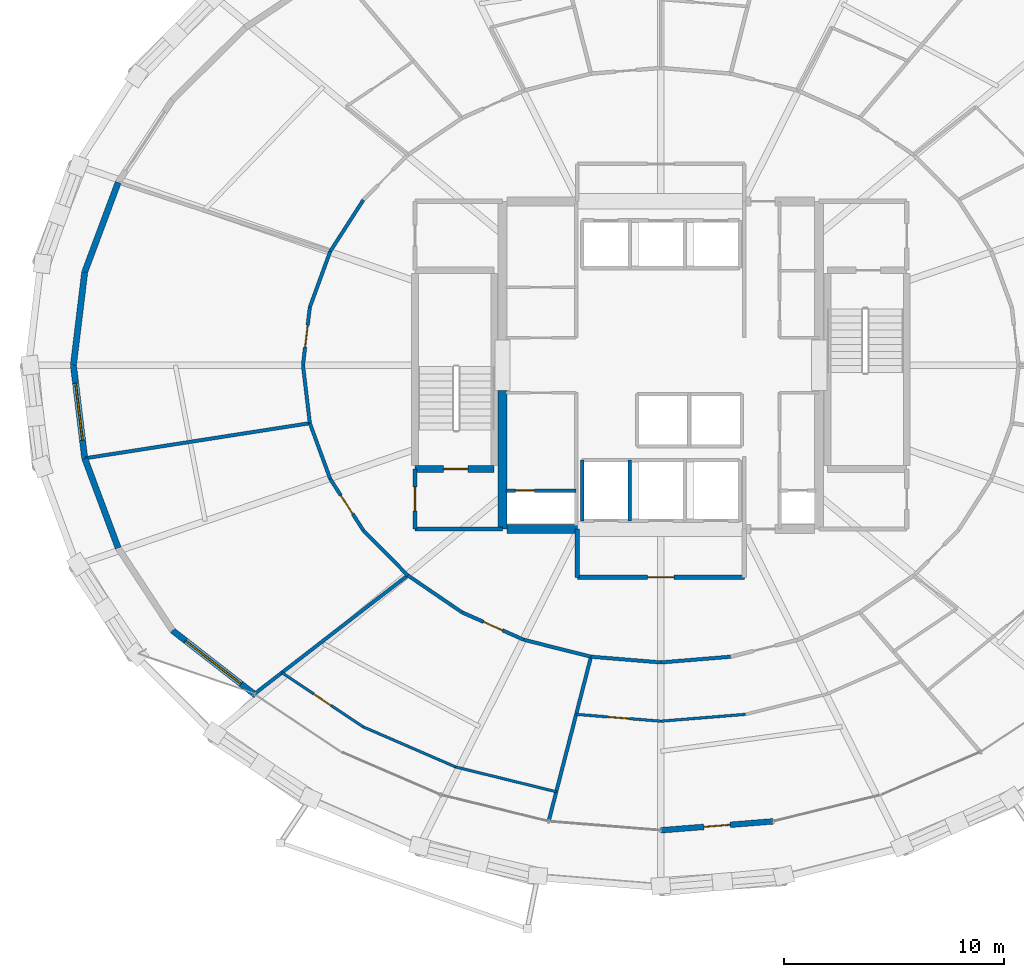
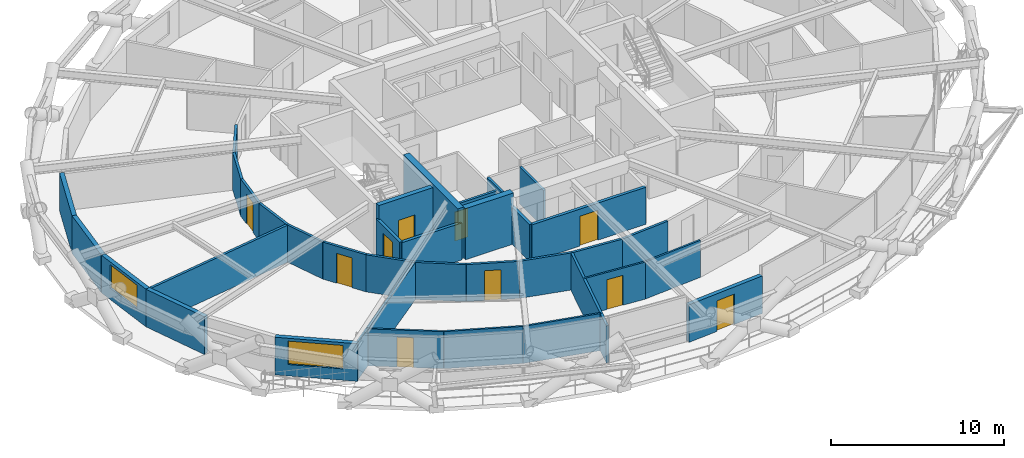
# One storey, part 15 of 21: 36 walls, 10 doors, 2 windows, 12 openings.
"""IFC4 building model written with IfcOpenShell, lengths in metres."""

from ifc_helpers import new_model, si_unit, direction, frame, frame_2d, origin, place, context, subcontext, project, spatial, rectangle, extrude, material, layer, layer_set, type_object, element, fill, save


model = new_model("IFC4")

# Units and contexts
model_context = context("Model", 3, precision=1e-05, world=origin(), true_north=direction((0.0, 1.0)))
body_context = subcontext(model_context, "Body", "Model", "MODEL_VIEW")
ifc_project = project(units=[si_unit("LENGTHUNIT", "METRE"), si_unit("AREAUNIT", "SQUARE_METRE"), si_unit("VOLUMEUNIT", "CUBIC_METRE"), si_unit("PLANEANGLEUNIT", "RADIAN"), si_unit("MASSUNIT", "GRAM", prefix="KILO")], contexts=[model_context])

# Site, building, storey
site_placement = place(None, origin())
site = spatial("IfcSite", under=ifc_project, at=site_placement, CompositionType="ELEMENT")
building_placement = place(site_placement, origin())
building = spatial("IfcBuilding", under=site, at=building_placement, Name="Veldorina Hangang Commons", CompositionType="ELEMENT")
storey_placement = place(building_placement, frame((0.0, 0.0, 59.199951171875)))
storey = spatial("IfcBuildingStorey", under=building, at=storey_placement, Name="L14", CompositionType="ELEMENT", Elevation=59.199951171875)

# Walls
ifc_material_1 = material(Name="Concrete C70/85", Category="concrete")
ifc_layer_1 = layer(ifc_material_1, 0.39990234375)
ifc_layer_set_1 = layer_set([ifc_layer_1], Name="Concrete C70/85")
wall_type_1 = type_object("IfcWallType", Name="CW-RC400-C70", PredefinedType="SHEAR", material=ifc_layer_set_1)
wall_1_placement = place(storey_placement, frame((24.800048828125, 16.550048828125, 0.0), z_axis=(0.0, 0.0, 1.0), x_axis=(0.0, 1.0, 0.0)))
element("IfcWall", 1, at=wall_1_placement, inside=storey, type_object=wall_type_1, Name="L14 W south core shear wall", PredefinedType="SHEAR", context=body_context, shape_type="SweptSolid", body=[
    extrude(rectangle(XDim=6.300048828125, YDim=0.39990234375, at=frame_2d((3.14990234375, 0.0))), origin(), (0.0, 0.0, 1.0), 3.60009765625),
])
wall_2_placement = place(storey_placement, frame((25.0, 16.550048828125, 0.0), z_axis=(0.0, 0.0, 1.0), x_axis=(1.0, 0.0, 0.0)))
element("IfcWall", 2, at=wall_2_placement, inside=storey, type_object=wall_type_1, Name="L14 south-west core shear wall", PredefinedType="SHEAR", context=body_context, shape_type="SweptSolid", body=[
    extrude(rectangle(XDim=3.199951171875, YDim=0.39990234375, at=frame_2d((1.60009765625, 0.0))), origin(), (0.0, 0.0, 1.0), 3.60009765625),
])

# Wall, opening, door
ifc_material_2 = material(Name="Stone Roman Travertine", Category="masonry")
ifc_layer_2 = layer(ifc_material_2, 0.260009765625)
ifc_layer_set_2 = layer_set([ifc_layer_2], Name="Stone Roman Travertine")
wall_type_2 = type_object("IfcWallType", Name="EW-LOGGIA-260", PredefinedType="STANDARD", material=ifc_layer_set_2)
wall_3_placement = place(storey_placement, frame((32.0, 2.847412109375, 0.0), z_axis=(0.0, 0.0, 1.0), x_axis=(0.996844936769, 0.079373623064, 0.0)))
wall_3 = element("IfcWall", 3, at=wall_3_placement, inside=storey, type_object=wall_type_2, Name="L14 sky-garden loggia portal wall 24", PredefinedType="STANDARD", context=body_context, shape_type="SweptSolid", body=[
    extrude(rectangle(XDim=5.1181640625, YDim=0.260009765625, at=frame_2d((2.55908203125, 0.0))), origin(), (0.0, 0.0, 1.0), 2.650146484375),
])
opening_1_placement = place(wall_3_placement, frame((1.958984375, 0.0, 0.0)))
opening_1 = element("IfcOpeningElement", 4, at=opening_1_placement, cuts=wall_3, Name="Opening BD-1200", PredefinedType="OPENING", context=body_context, shape_type="SweptSolid", body=[
    extrude(rectangle(XDim=1.199951171875, YDim=2.14990234375, at=frame_2d((0.60009765625, 1.074951171875))), frame((0.0, 0.14013671875, 0.0), z_axis=(0.0, -1.0, 0.0), x_axis=(1.0, 0.0, 0.0)), (0.0, 0.0, 1.0), 0.280029296875),
])
ifc_material_3 = material(Name="Glass Thermal Aluminium Frame", Category="aluminium")
door_type_1 = type_object("IfcDoorType", Name="DR-EXT-LOG1200", OperationType="SINGLE_SWING_LEFT", PredefinedType="DOOR", material=ifc_material_3)
door_1_placement = place(opening_1_placement, origin())
door_1 = element("IfcDoor", 5, at=door_1_placement, inside=storey, type_object=door_type_1, Name="L14 loggia glazed exterior door 24", OperationType="SINGLE_SWING_LEFT", OverallHeight=2.14990234375, OverallWidth=1.199951171875, PredefinedType="DOOR", context=body_context, shape_type="SweptSolid", body=[
    extrude(rectangle(XDim=1.199951171875, YDim=2.14990234375, at=frame_2d((0.60009765625, 1.074951171875))), frame((0.0, 0.02490234375, 0.0), z_axis=(0.0, -1.0, 0.0), x_axis=(1.0, 0.0, 0.0)), (0.0, 0.0, 1.0), 0.050048828125),
])
fill(opening_1, door_1)

# Walls
ifc_layer_3 = layer(ifc_material_2, 0.280029296875)
ifc_layer_set_3 = layer_set([ifc_layer_3], Name="Stone Roman Travertine")
wall_type_3 = type_object("IfcWallType", Name="EW-TRAV-280", PredefinedType="STANDARD", material=ifc_layer_set_3)
wall_4_placement = place(storey_placement, frame((7.32080078125, 32.30908203125, 0.0), z_axis=(0.0, 0.0, 1.0), x_axis=(-0.349670708584, -0.93687266774, 0.0)))
element("IfcWall", 6, at=wall_4_placement, inside=storey, type_object=wall_type_3, Name="L14 travertine facade wall 14", PredefinedType="STANDARD", context=body_context, shape_type="SweptSolid", body=[
    extrude(rectangle(XDim=4.34765625, YDim=0.280029296875, at=frame_2d((2.173828125, 0.0))), origin(), (0.0, 0.0, 1.0), 2.650146484375),
])
wall_5_placement = place(storey_placement, frame((5.800537109375, 28.23583984375, 0.0), z_axis=(0.0, 0.0, 1.0), x_axis=(-0.120273268537, -0.992740822609, 0.0)))
element("IfcWall", 7, at=wall_5_placement, inside=storey, type_object=wall_type_3, Name="L14 travertine facade wall 15", PredefinedType="STANDARD", context=body_context, shape_type="SweptSolid", body=[
    extrude(rectangle(XDim=4.266845703125, YDim=0.280029296875, at=frame_2d((2.13330078125, 0.0))), origin(), (0.0, 0.0, 1.0), 2.650146484375),
])

# Wall, opening, window
wall_6_placement = place(storey_placement, frame((5.287353515625, 24.0, 0.0), z_axis=(0.0, 0.0, 1.0), x_axis=(0.120273268537, -0.992740822609, 0.0)))
wall_6 = element("IfcWall", 8, at=wall_6_placement, inside=storey, type_object=wall_type_3, Name="L14 travertine facade wall 16", PredefinedType="STANDARD", context=body_context, shape_type="SweptSolid", body=[
    extrude(rectangle(XDim=4.266845703125, YDim=0.280029296875, at=frame_2d((2.13330078125, 0.0))), origin(), (0.0, 0.0, 1.0), 2.650146484375),
])
opening_2_placement = place(wall_6_placement, frame((0.83349609375, 0.0, 0.800048828125)))
opening_2 = element("IfcOpeningElement", 9, at=opening_2_placement, cuts=wall_6, Name="Opening W-02", PredefinedType="OPENING", context=body_context, shape_type="SweptSolid", body=[
    extrude(rectangle(XDim=2.60009765625, YDim=1.64990234375, at=frame_2d((1.300048828125, 0.824951171875))), frame((0.0, 0.14990234375, 0.0), z_axis=(0.0, -1.0, 0.0), x_axis=(1.0, 0.0, 0.0)), (0.0, 0.0, 1.0), 0.300048828125),
])
ifc_material_4 = material(Name="Glass Low-E Triple IGU", Category="glass")
window_type_1 = type_object("IfcWindowType", Name="WIN-TWR-2600", PartitioningType="SINGLE_PANEL", PredefinedType="WINDOW", material=ifc_material_4)
window_1_placement = place(opening_2_placement, origin())
window_1 = element("IfcWindow", 10, at=window_1_placement, inside=storey, type_object=window_type_1, Name="L14 facade window 16", OverallHeight=1.64990234375, OverallWidth=2.60009765625, PartitioningType="SINGLE_PANEL", PredefinedType="WINDOW", context=body_context, shape_type="SweptSolid", body=[
    extrude(rectangle(XDim=2.60009765625, YDim=1.64990234375, at=frame_2d((1.300048828125, 0.824951171875))), frame((0.0, 0.030029296875, 0.0), z_axis=(0.0, -1.0, 0.0), x_axis=(1.0, 0.0, 0.0)), (0.0, 0.0, 1.0), 0.06005859375),
])
fill(opening_2, window_1)

# Wall
wall_7_placement = place(storey_placement, frame((5.800537109375, 19.76416015625, 0.0), z_axis=(0.0, 0.0, 1.0), x_axis=(0.349670708584, -0.93687266774, 0.0)))
element("IfcWall", 11, at=wall_7_placement, inside=storey, type_object=wall_type_3, Name="L14 travertine facade wall 17", PredefinedType="STANDARD", context=body_context, shape_type="SweptSolid", body=[
    extrude(rectangle(XDim=4.34765625, YDim=0.280029296875, at=frame_2d((2.173828125, 0.0))), origin(), (0.0, 0.0, 1.0), 2.650146484375),
])

# Wall, opening, window
wall_8_placement = place(storey_placement, frame((9.789306640625, 11.93701171875, 0.0), z_axis=(0.0, 0.0, 1.0), x_axis=(0.789100374505, -0.614264274524, 0.0)))
wall_8 = element("IfcWall", 12, at=wall_8_placement, inside=storey, type_object=wall_type_3, Name="L14 travertine facade wall 19", PredefinedType="STANDARD", context=body_context, shape_type="SweptSolid", body=[
    extrude(rectangle(XDim=4.8037109375, YDim=0.280029296875, at=frame_2d((2.40185546875, 0.0))), origin(), (0.0, 0.0, 1.0), 2.650146484375),
])
opening_3_placement = place(wall_8_placement, frame((0.755859375, 0.0, 0.800048828125)))
opening_3 = element("IfcOpeningElement", 13, at=opening_3_placement, cuts=wall_8, Name="Opening W-01", PredefinedType="OPENING", context=body_context, shape_type="SweptSolid", body=[
    extrude(rectangle(XDim=3.199951171875, YDim=1.64990234375, at=frame_2d((1.60009765625, 0.824951171875))), frame((0.0, 0.14990234375, 0.0), z_axis=(0.0, -1.0, 0.0), x_axis=(1.0, 0.0, 0.0)), (0.0, 0.0, 1.0), 0.300048828125),
])
window_type_2 = type_object("IfcWindowType", Name="WIN-TWR-3200", PartitioningType="SINGLE_PANEL", PredefinedType="WINDOW", material=ifc_material_4)
window_2_placement = place(opening_3_placement, origin())
window_2 = element("IfcWindow", 14, at=window_2_placement, inside=storey, type_object=window_type_2, Name="L14 facade window 19", OverallHeight=1.64990234375, OverallWidth=3.199951171875, PartitioningType="SINGLE_PANEL", PredefinedType="WINDOW", context=body_context, shape_type="SweptSolid", body=[
    extrude(rectangle(XDim=3.199951171875, YDim=1.64990234375, at=frame_2d((1.60009765625, 0.824951171875))), frame((0.0, 0.030029296875, 0.0), z_axis=(0.0, -1.0, 0.0), x_axis=(1.0, 0.0, 0.0)), (0.0, 0.0, 1.0), 0.06005859375),
])
fill(opening_3, window_2)

# Wall, opening, door
ifc_material_5 = material(Name="Concrete C50/60", Category="concrete")
ifc_layer_4 = layer(ifc_material_5, 0.300048828125)
ifc_layer_set_4 = layer_set([ifc_layer_4], Name="Concrete C50/60")
wall_type_4 = type_object("IfcWallType", Name="SW-STAIR-300", PredefinedType="SHEAR", material=ifc_layer_set_4)
wall_9_placement = place(storey_placement, frame((20.820068359375, 19.280029296875, 0.0), z_axis=(0.0, 0.0, 1.0), x_axis=(1.0, 0.0, 0.0)))
wall_9 = element("IfcWall", 15, at=wall_9_placement, inside=storey, type_object=wall_type_4, Name="L14 ST1 south stair shear wall", PredefinedType="SHEAR", context=body_context, shape_type="SweptSolid", body=[
    extrude(rectangle(XDim=3.599853515625, YDim=0.300048828125, at=frame_2d((1.7998046875, 0.0))), origin(), (0.0, 0.0, 1.0), 3.60009765625),
])
opening_4_placement = place(wall_9_placement, frame((1.300048828125, 0.0, 0.0)))
opening_4 = element("IfcOpeningElement", 16, at=opening_4_placement, cuts=wall_9, Name="Opening D-08", PredefinedType="OPENING", context=body_context, shape_type="SweptSolid", body=[
    extrude(rectangle(XDim=1.10009765625, YDim=2.10009765625, at=frame_2d((0.550048828125, 1.050048828125))), frame((0.0, 0.16015625, 0.0), z_axis=(0.0, -1.0, 0.0), x_axis=(1.0, 0.0, 0.0)), (0.0, 0.0, 1.0), 0.320068359375),
])
ifc_material_6 = material(Name="Steel Fire-Rated Smoke Seal", Category="steel")
door_type_2 = type_object("IfcDoorType", Name="DR-FIRE-1100", OperationType="SINGLE_SWING_RIGHT", PredefinedType="DOOR", material=ifc_material_6)
door_2_placement = place(opening_4_placement, origin())
door_2 = element("IfcDoor", 17, at=door_2_placement, inside=storey, type_object=door_type_2, Name="L14 Special Escape Stair ST-1 door", OperationType="SINGLE_SWING_LEFT", OverallHeight=2.10009765625, OverallWidth=1.10009765625, PredefinedType="DOOR", context=body_context, shape_type="SweptSolid", body=[
    extrude(rectangle(XDim=1.10009765625, YDim=2.10009765625, at=frame_2d((0.550048828125, 1.050048828125))), frame((0.0, 0.02490234375, 0.0), z_axis=(0.0, -1.0, 0.0), x_axis=(1.0, 0.0, 0.0)), (0.0, 0.0, 1.0), 0.050048828125),
])
fill(opening_4, door_2)

# Walls
ifc_material_7 = material(Name="Gypsum Fire-Rated Twin Stud Wall", Category="gypsum")
ifc_layer_5 = layer(ifc_material_7, 0.159912109375)
ifc_layer_set_5 = layer_set([ifc_layer_5], Name="Gypsum Fire-Rated Twin Stud Wall")
wall_type_5 = type_object("IfcWallType", Name="WL-FIRE-160", PredefinedType="SOLIDWALL", material=ifc_layer_set_5)
for number, where, z_axis, x_axis, name in (
    (18, (28.419921875, 16.919921875, 0.0), (0.0, 0.0, 1.0), (0.0, 1.0, 0.0), "L14 FFL-1 west shaft wall 028"),
    (19, (30.580078125, 16.919921875, 0.0), (0.0, 0.0, 1.0), (0.0, 1.0, 0.0), "L14 FFL-1 east shaft wall 029"),
):
    element("IfcWall", number, at=place(storey_placement, frame(where, z_axis=z_axis, x_axis=x_axis)), inside=storey, type_object=wall_type_5, Name=name, PredefinedType="SOLIDWALL", context=body_context, shape_type="SweptSolid", body=[
        extrude(rectangle(XDim=2.760009765625, YDim=0.159912109375, at=frame_2d((1.3798828125, 0.0))), origin(), (0.0, 0.0, 1.0), 2.610107421875),
    ])

# Wall, opening, door
wall_10_placement = place(storey_placement, frame((24.949951171875, 18.300048828125, 0.0), z_axis=(0.0, 0.0, 1.0), x_axis=(1.0, 0.0, 0.0)))
wall_10 = element("IfcWall", 20, at=wall_10_placement, inside=storey, type_object=wall_type_5, Name="L14 Electrical riser wall 035", PredefinedType="SOLIDWALL", context=body_context, shape_type="SweptSolid", body=[
    extrude(rectangle(XDim=3.199951171875, YDim=0.159912109375, at=frame_2d((1.60009765625, 0.0))), origin(), (0.0, 0.0, 1.0), 2.610107421875),
])
opening_5_placement = place(wall_10_placement, frame((0.43994140625, 0.0, 0.0)))
opening_5 = element("IfcOpeningElement", 21, at=opening_5_placement, cuts=wall_10, Name="Opening D-12", PredefinedType="OPENING", context=body_context, shape_type="SweptSolid", body=[
    extrude(rectangle(XDim=0.860107421875, YDim=2.050048828125, at=frame_2d((0.43017578125, 1.02490234375))), frame((0.0, 0.08984375, 0.0), z_axis=(0.0, -1.0, 0.0), x_axis=(1.0, 0.0, 0.0)), (0.0, 0.0, 1.0), 0.179931640625),
])
ifc_material_8 = material(Name="Steel Insulated Riser Access", Category="steel")
door_type_3 = type_object("IfcDoorType", Name="DR-TRAP-860", OperationType="SINGLE_SWING_LEFT", PredefinedType="TRAPDOOR", material=ifc_material_8)
door_3_placement = place(opening_5_placement, origin())
door_3 = element("IfcDoor", 22, at=door_3_placement, inside=storey, type_object=door_type_3, Name="L14 Electrical riser access door 013", OperationType="SINGLE_SWING_LEFT", OverallHeight=2.050048828125, OverallWidth=0.860107421875, PredefinedType="TRAPDOOR", context=body_context, shape_type="SweptSolid", body=[
    extrude(rectangle(XDim=0.860107421875, YDim=2.050048828125, at=frame_2d((0.43017578125, 1.02490234375))), frame((0.0, 0.02490234375, 0.0), z_axis=(0.0, -1.0, 0.0), x_axis=(1.0, 0.0, 0.0)), (0.0, 0.0, 1.0), 0.050048828125),
])
fill(opening_5, door_3)

# Walls
wall_11_placement = place(storey_placement, frame((18.46875, 31.51025390625, 0.0), z_axis=(0.0, 0.0, 1.0), x_axis=(-0.541126045017, -0.840941498206, 0.0)))
element("IfcWall", 23, at=wall_11_placement, inside=storey, type_object=wall_type_5, Name="L14 Corridor outer wall 13 060", PredefinedType="SOLIDWALL", context=body_context, shape_type="SweptSolid", body=[
    extrude(rectangle(XDim=2.779296875, YDim=0.159912109375, at=frame_2d((1.3896484375, 0.0))), origin(), (0.0, 0.0, 1.0), 2.610107421875),
])
wall_12_placement = place(storey_placement, frame((16.96484375, 29.173095703125, 0.0), z_axis=(0.0, 0.0, 1.0), x_axis=(-0.343013437329, -0.939330496583, 0.0)))
element("IfcWall", 24, at=wall_12_placement, inside=storey, type_object=wall_type_5, Name="L14 Corridor outer wall 14 061", PredefinedType="SOLIDWALL", context=body_context, shape_type="SweptSolid", body=[
    extrude(rectangle(XDim=2.69970703125, YDim=0.159912109375, at=frame_2d((1.349853515625, 0.0))), origin(), (0.0, 0.0, 1.0), 2.610107421875),
])

# Wall, opening, door
wall_13_placement = place(storey_placement, frame((16.038818359375, 26.63720703125, 0.0), z_axis=(0.0, 0.0, 1.0), x_axis=(-0.117763961213, -0.99304161516, 0.0)))
wall_13 = element("IfcWall", 25, at=wall_13_placement, inside=storey, type_object=wall_type_5, Name="L14 Corridor outer wall 15 062", PredefinedType="SOLIDWALL", context=body_context, shape_type="SweptSolid", body=[
    extrude(rectangle(XDim=2.65576171875, YDim=0.159912109375, at=frame_2d((1.327880859375, 0.0))), origin(), (0.0, 0.0, 1.0), 2.610107421875),
])
opening_6_placement = place(wall_13_placement, frame((0.827880859375, 0.0, 0.0)))
opening_6 = element("IfcOpeningElement", 26, at=opening_6_placement, cuts=wall_13, Name="Opening D-05", PredefinedType="OPENING", context=body_context, shape_type="SweptSolid", body=[
    extrude(rectangle(XDim=1.0, YDim=2.10009765625, at=frame_2d((0.5, 1.050048828125))), frame((0.0, 0.08984375, 0.0), z_axis=(0.0, -1.0, 0.0), x_axis=(1.0, 0.0, 0.0)), (0.0, 0.0, 1.0), 0.179931640625),
])
ifc_material_9 = material(Name="Timber Solid Core Acoustic", Category="wood")
door_type_4 = type_object("IfcDoorType", Name="DR-INT-1000", OperationType="SINGLE_SWING_RIGHT", PredefinedType="DOOR", material=ifc_material_9)
door_4_placement = place(opening_6_placement, origin())
door_4 = element("IfcDoor", 27, at=door_4_placement, inside=storey, type_object=door_type_4, Name="L14 Floor Study Room 9 door 041", OperationType="SINGLE_SWING_LEFT", OverallHeight=2.10009765625, OverallWidth=1.0, PredefinedType="DOOR", context=body_context, shape_type="SweptSolid", body=[
    extrude(rectangle(XDim=1.0, YDim=2.10009765625, at=frame_2d((0.5, 1.050048828125))), frame((0.0, 0.02490234375, 0.0), z_axis=(0.0, -1.0, 0.0), x_axis=(1.0, 0.0, 0.0)), (0.0, 0.0, 1.0), 0.050048828125),
])
fill(opening_6, door_4)

# Walls
wall_14_placement = place(storey_placement, frame((15.72607421875, 24.0, 0.0), z_axis=(0.0, 0.0, 1.0), x_axis=(0.117763961213, -0.99304161516, 0.0)))
element("IfcWall", 28, at=wall_14_placement, inside=storey, type_object=wall_type_5, Name="L14 Corridor outer wall 16 063", PredefinedType="SOLIDWALL", context=body_context, shape_type="SweptSolid", body=[
    extrude(rectangle(XDim=2.65576171875, YDim=0.159912109375, at=frame_2d((1.327880859375, 0.0))), origin(), (0.0, 0.0, 1.0), 2.610107421875),
])
wall_15_placement = place(storey_placement, frame((16.038818359375, 21.36279296875, 0.0), z_axis=(0.0, 0.0, 1.0), x_axis=(0.343013437329, -0.939330496583, 0.0)))
element("IfcWall", 29, at=wall_15_placement, inside=storey, type_object=wall_type_5, Name="L14 Corridor outer wall 17 064", PredefinedType="SOLIDWALL", context=body_context, shape_type="SweptSolid", body=[
    extrude(rectangle(XDim=2.69970703125, YDim=0.159912109375, at=frame_2d((1.349853515625, 0.0))), origin(), (0.0, 0.0, 1.0), 2.610107421875),
])

# Wall, opening, door
wall_16_placement = place(storey_placement, frame((16.96484375, 18.826904296875, 0.0), z_axis=(0.0, 0.0, 1.0), x_axis=(0.541126045017, -0.840941498206, 0.0)))
wall_16 = element("IfcWall", 30, at=wall_16_placement, inside=storey, type_object=wall_type_5, Name="L14 Corridor outer wall 18 065", PredefinedType="SOLIDWALL", context=body_context, shape_type="SweptSolid", body=[
    extrude(rectangle(XDim=2.779296875, YDim=0.159912109375, at=frame_2d((1.3896484375, 0.0))), origin(), (0.0, 0.0, 1.0), 2.610107421875),
])
opening_7_placement = place(wall_16_placement, frame((0.8896484375, 0.0, 0.0)))
opening_7 = element("IfcOpeningElement", 31, at=opening_7_placement, cuts=wall_16, Name="Opening D-05", PredefinedType="OPENING", context=body_context, shape_type="SweptSolid", body=[
    extrude(rectangle(XDim=1.0, YDim=2.10009765625, at=frame_2d((0.5, 1.050048828125))), frame((0.0, 0.08984375, 0.0), z_axis=(0.0, -1.0, 0.0), x_axis=(1.0, 0.0, 0.0)), (0.0, 0.0, 1.0), 0.179931640625),
])
door_5_placement = place(opening_7_placement, origin())
door_5 = element("IfcDoor", 32, at=door_5_placement, inside=storey, type_object=door_type_4, Name="L14 Seminar Focus Room 10 door 042", OperationType="SINGLE_SWING_RIGHT", OverallHeight=2.10009765625, OverallWidth=1.0, PredefinedType="DOOR", context=body_context, shape_type="SweptSolid", body=[
    extrude(rectangle(XDim=1.0, YDim=2.10009765625, at=frame_2d((0.5, 1.050048828125))), frame((0.0, 0.02490234375, 0.0), z_axis=(0.0, -1.0, 0.0), x_axis=(1.0, 0.0, 0.0)), (0.0, 0.0, 1.0), 0.050048828125),
])
fill(opening_7, door_5)

# Walls
wall_17_placement = place(storey_placement, frame((18.46875, 16.48974609375, 0.0), z_axis=(0.0, 0.0, 1.0), x_axis=(0.702811997, -0.711375636969, 0.0)))
element("IfcWall", 33, at=wall_17_placement, inside=storey, type_object=wall_type_5, Name="L14 Corridor outer wall 19 066", PredefinedType="SOLIDWALL", context=body_context, shape_type="SweptSolid", body=[
    extrude(rectangle(XDim=2.87939453125, YDim=0.159912109375, at=frame_2d((1.439697265625, 0.0))), origin(), (0.0, 0.0, 1.0), 2.610107421875),
])
wall_18_placement = place(storey_placement, frame((20.492431640625, 14.44140625, 0.0), z_axis=(0.0, 0.0, 1.0), x_axis=(0.826293096206, -0.56324037423, 0.0)))
element("IfcWall", 34, at=wall_18_placement, inside=storey, type_object=wall_type_5, Name="L14 Corridor outer wall 20 067", PredefinedType="SOLIDWALL", context=body_context, shape_type="SweptSolid", body=[
    extrude(rectangle(XDim=2.98486328125, YDim=0.159912109375, at=frame_2d((1.492431640625, 0.0))), origin(), (0.0, 0.0, 1.0), 2.610107421875),
])

# Wall, opening, door
wall_19_placement = place(storey_placement, frame((22.958740234375, 12.76025390625, 0.0), z_axis=(0.0, 0.0, 1.0), x_axis=(0.913952123493, -0.405822024984, 0.0)))
wall_19 = element("IfcWall", 35, at=wall_19_placement, inside=storey, type_object=wall_type_5, Name="L14 Corridor outer wall 21 068", PredefinedType="SOLIDWALL", context=body_context, shape_type="SweptSolid", body=[
    extrude(rectangle(XDim=3.078369140625, YDim=0.159912109375, at=frame_2d((1.5390625, 0.0))), origin(), (0.0, 0.0, 1.0), 2.610107421875),
])
opening_8_placement = place(wall_19_placement, frame((1.064208984375, 0.0, 0.0)))
opening_8 = element("IfcOpeningElement", 36, at=opening_8_placement, cuts=wall_19, Name="Opening D-02", PredefinedType="OPENING", context=body_context, shape_type="SweptSolid", body=[
    extrude(rectangle(XDim=0.949951171875, YDim=2.10009765625, at=frame_2d((0.47509765625, 1.050048828125))), frame((0.0, 0.08984375, 0.0), z_axis=(0.0, -1.0, 0.0), x_axis=(1.0, 0.0, 0.0)), (0.0, 0.0, 1.0), 0.179931640625),
])
door_type_5 = type_object("IfcDoorType", Name="DR-INT-950", OperationType="SINGLE_SWING_LEFT", PredefinedType="DOOR", material=ifc_material_9)
door_6_placement = place(opening_8_placement, origin())
door_6 = element("IfcDoor", 37, at=door_6_placement, inside=storey, type_object=door_type_5, Name="L14 Linen drying store door 043", OperationType="SINGLE_SWING_LEFT", OverallHeight=2.10009765625, OverallWidth=0.949951171875, PredefinedType="DOOR", context=body_context, shape_type="SweptSolid", body=[
    extrude(rectangle(XDim=0.949951171875, YDim=2.10009765625, at=frame_2d((0.47509765625, 1.050048828125))), frame((0.0, 0.02490234375, 0.0), z_axis=(0.0, -1.0, 0.0), x_axis=(1.0, 0.0, 0.0)), (0.0, 0.0, 1.0), 0.050048828125),
])
fill(opening_8, door_6)

# Walls
wall_20_placement = place(storey_placement, frame((25.772216796875, 11.510986328125, 0.0), z_axis=(0.0, 0.0, 1.0), x_axis=(0.969689238064, -0.244341526521, 0.0)))
element("IfcWall", 38, at=wall_20_placement, inside=storey, type_object=wall_type_5, Name="L14 Corridor outer wall 22 069", PredefinedType="SOLIDWALL", context=body_context, shape_type="SweptSolid", body=[
    extrude(rectangle(XDim=3.1484375, YDim=0.159912109375, at=frame_2d((1.57421875, 0.0))), origin(), (0.0, 0.0, 1.0), 2.610107421875),
])
for number, where, z_axis, x_axis, name in (
    (39, (28.8251953125, 10.74169921875, 0.0), (0.0, 0.0, 1.0), (0.996669377538, -0.081548463373, 0.0), "L14 Corridor outer wall 23 070"),
    (40, (32.0, 10.48193359375, 0.0), (0.0, 0.0, 1.0), (0.996669377538, 0.081548463373, 0.0), "L14 Corridor outer wall 24 071"),
):
    element("IfcWall", number, at=place(storey_placement, frame(where, z_axis=z_axis, x_axis=x_axis)), inside=storey, type_object=wall_type_5, Name=name, PredefinedType="SOLIDWALL", context=body_context, shape_type="SweptSolid", body=[
        extrude(rectangle(XDim=3.185302734375, YDim=0.159912109375, at=frame_2d((1.5927734375, 0.0))), origin(), (0.0, 0.0, 1.0), 2.610107421875),
    ])
wall_21_placement = place(storey_placement, frame((28.8251953125, 10.74169921875, 0.0), z_axis=(0.0, 0.0, 1.0), x_axis=(-0.249252253104, -0.968438596052, 0.0)))
element("IfcWall", 41, at=wall_21_placement, inside=storey, type_object=wall_type_5, Name="L14 Unit party wall 23 079", PredefinedType="SOLIDWALL", context=body_context, shape_type="SweptSolid", body=[
    extrude(rectangle(XDim=7.68212890625, YDim=0.159912109375, at=frame_2d((3.841064453125, 0.0))), origin(), (0.0, 0.0, 1.0), 2.610107421875),
])
wall_22_placement = place(storey_placement, frame((16.038818359375, 21.36279296875, 0.0), z_axis=(0.0, 0.0, 1.0), x_axis=(-0.988025684157, -0.154289492336, 0.0)))
element("IfcWall", 42, at=wall_22_placement, inside=storey, type_object=wall_type_5, Name="L14 Unit party wall 17 112", PredefinedType="SOLIDWALL", context=body_context, shape_type="SweptSolid", body=[
    extrude(rectangle(XDim=10.312255859375, YDim=0.159912109375, at=frame_2d((5.15625, 0.0))), origin(), (0.0, 0.0, 1.0), 2.610107421875),
])
wall_23_placement = place(storey_placement, frame((20.492431640625, 14.44140625, 0.0), z_axis=(0.0, 0.0, 1.0), x_axis=(-0.791235454553, -0.611511615145, 0.0)))
element("IfcWall", 43, at=wall_23_placement, inside=storey, type_object=wall_type_5, Name="L14 Unit party wall 20 113", PredefinedType="SOLIDWALL", context=body_context, shape_type="SweptSolid", body=[
    extrude(rectangle(XDim=8.778076171875, YDim=0.159912109375, at=frame_2d((4.38916015625, 0.0))), origin(), (0.0, 0.0, 1.0), 2.610107421875),
])

# Wall, opening, door
ifc_material_10 = material(Name="Concrete Blockwork Fire Wall C30/37", Category="masonry")
ifc_layer_6 = layer(ifc_material_10, 0.199951171875)
ifc_layer_set_6 = layer_set([ifc_layer_6], Name="Concrete Blockwork Fire Wall C30/37")
wall_type_6 = type_object("IfcWallType", Name="WL-FIRE-200", PredefinedType="SOLIDWALL", material=ifc_layer_set_6)
wall_24_placement = place(storey_placement, frame((20.820068359375, 16.550048828125, 0.0), z_axis=(0.0, 0.0, 1.0), x_axis=(0.0, 1.0, 0.0)))
wall_24 = element("IfcWall", 44, at=wall_24_placement, inside=storey, type_object=wall_type_6, Name="L14 West vestibule outer wall 001", PredefinedType="SOLIDWALL", context=body_context, shape_type="SweptSolid", body=[
    extrude(rectangle(XDim=2.72998046875, YDim=0.199951171875, at=frame_2d((1.364990234375, 0.0))), origin(), (0.0, 0.0, 1.0), 2.610107421875),
])
opening_9_placement = place(wall_24_placement, frame((0.81494140625, 0.0, 0.0)))
opening_9 = element("IfcOpeningElement", 45, at=opening_9_placement, cuts=wall_24, Name="Opening D-08", PredefinedType="OPENING", context=body_context, shape_type="SweptSolid", body=[
    extrude(rectangle(XDim=1.10009765625, YDim=2.10009765625, at=frame_2d((0.550048828125, 1.050048828125))), frame((0.0, 0.10986328125, 0.0), z_axis=(0.0, -1.0, 0.0), x_axis=(1.0, 0.0, 0.0)), (0.0, 0.0, 1.0), 0.219970703125),
])
door_7_placement = place(opening_9_placement, origin())
door_7 = element("IfcDoor", 46, at=door_7_placement, inside=storey, type_object=door_type_2, Name="L14 West vestibule west door 001", OperationType="SINGLE_SWING_LEFT", OverallHeight=2.10009765625, OverallWidth=1.10009765625, PredefinedType="DOOR", context=body_context, shape_type="SweptSolid", body=[
    extrude(rectangle(XDim=1.10009765625, YDim=2.10009765625, at=frame_2d((0.550048828125, 1.050048828125))), frame((0.0, 0.02490234375, 0.0), z_axis=(0.0, -1.0, 0.0), x_axis=(1.0, 0.0, 0.0)), (0.0, 0.0, 1.0), 0.050048828125),
])
fill(opening_9, door_7)

# Walls
wall_25_placement = place(storey_placement, frame((20.820068359375, 16.550048828125, 0.0), z_axis=(0.0, 0.0, 1.0), x_axis=(1.0, 0.0, 0.0)))
element("IfcWall", 47, at=wall_25_placement, inside=storey, type_object=wall_type_6, Name="L14 West vestibule south wall 002", PredefinedType="SOLIDWALL", context=body_context, shape_type="SweptSolid", body=[
    extrude(rectangle(XDim=3.97998046875, YDim=0.199951171875, at=frame_2d((1.989990234375, 0.0))), origin(), (0.0, 0.0, 1.0), 2.610107421875),
])
wall_26_placement = place(storey_placement, frame((28.199951171875, 14.35009765625, 0.0), z_axis=(0.0, 0.0, 1.0), x_axis=(0.0, 1.0, 0.0)))
element("IfcWall", 48, at=wall_26_placement, inside=storey, type_object=wall_type_6, Name="L14 FF lobby west wall 012", PredefinedType="SOLIDWALL", context=body_context, shape_type="SweptSolid", body=[
    extrude(rectangle(XDim=2.199951171875, YDim=0.199951171875, at=frame_2d((1.10009765625, 0.0))), origin(), (0.0, 0.0, 1.0), 2.610107421875),
])

# Wall, opening, door
wall_27_placement = place(storey_placement, frame((28.199951171875, 14.35009765625, 0.0), z_axis=(0.0, 0.0, 1.0), x_axis=(1.0, 0.0, 0.0)))
wall_27 = element("IfcWall", 49, at=wall_27_placement, inside=storey, type_object=wall_type_6, Name="L14 FF lobby south wall 014", PredefinedType="SOLIDWALL", context=body_context, shape_type="SweptSolid", body=[
    extrude(rectangle(XDim=7.60009765625, YDim=0.199951171875, at=frame_2d((3.800048828125, 0.0))), origin(), (0.0, 0.0, 1.0), 2.610107421875),
])
opening_10_placement = place(wall_27_placement, frame((3.199951171875, 0.0, 0.0)))
opening_10 = element("IfcOpeningElement", 50, at=opening_10_placement, cuts=wall_27, Name="Opening D-09", PredefinedType="OPENING", context=body_context, shape_type="SweptSolid", body=[
    extrude(rectangle(XDim=1.199951171875, YDim=2.10009765625, at=frame_2d((0.60009765625, 1.050048828125))), frame((0.0, 0.10986328125, 0.0), z_axis=(0.0, -1.0, 0.0), x_axis=(1.0, 0.0, 0.0)), (0.0, 0.0, 1.0), 0.219970703125),
])
ifc_material_11 = material(Name="Steel Fire-Rated Corridor Door", Category="steel")
door_type_6 = type_object("IfcDoorType", Name="DR-FIRE-1200", OperationType="SINGLE_SWING_LEFT", PredefinedType="DOOR", material=ifc_material_11)
door_8_placement = place(opening_10_placement, origin())
door_8 = element("IfcDoor", 51, at=door_8_placement, inside=storey, type_object=door_type_6, Name="L14 FF lobby south corridor door 005", OperationType="SINGLE_SWING_LEFT", OverallHeight=2.10009765625, OverallWidth=1.199951171875, PredefinedType="DOOR", context=body_context, shape_type="SweptSolid", body=[
    extrude(rectangle(XDim=1.199951171875, YDim=2.10009765625, at=frame_2d((0.60009765625, 1.050048828125))), frame((0.0, 0.02490234375, 0.0), z_axis=(0.0, -1.0, 0.0), x_axis=(1.0, 0.0, 0.0)), (0.0, 0.0, 1.0), 0.050048828125),
])
fill(opening_10, door_8)

ifc_material_12 = material(Name="Gypsum Acoustic Stud Partition", Category="gypsum")
ifc_layer_7 = layer(ifc_material_12, 0.1201171875)
ifc_layer_set_7 = layer_set([ifc_layer_7], Name="Gypsum Acoustic Stud Partition")
wall_type_7 = type_object("IfcWallType", Name="WL-PART-120", PredefinedType="PARTITIONING", material=ifc_layer_set_7)
wall_28_placement = place(storey_placement, frame((28.150634765625, 8.120849609375, 0.0), z_axis=(0.0, 0.0, 1.0), x_axis=(0.996751443234, -0.080539185557, 0.0)))
wall_28 = element("IfcWall", 52, at=wall_28_placement, inside=storey, type_object=wall_type_7, Name="L14 Lounge alcove split 0 080", PredefinedType="PARTITIONING", context=body_context, shape_type="SweptSolid", body=[
    extrude(rectangle(XDim=3.86181640625, YDim=0.1201171875, at=frame_2d((1.930908203125, 0.0))), origin(), (0.0, 0.0, 1.0), 2.610107421875),
])
opening_11_placement = place(wall_28_placement, frame((1.430908203125, 0.0, 0.0)))
opening_11 = element("IfcOpeningElement", 53, at=opening_11_placement, cuts=wall_28, Name="Opening D-05", PredefinedType="OPENING", context=body_context, shape_type="SweptSolid", body=[
    extrude(rectangle(XDim=1.0, YDim=2.10009765625, at=frame_2d((0.5, 1.050048828125))), frame((0.0, 0.070068359375, 0.0), z_axis=(0.0, -1.0, 0.0), x_axis=(1.0, 0.0, 0.0)), (0.0, 0.0, 1.0), 0.14013671875),
])
door_9_placement = place(opening_11_placement, origin())
door_9 = element("IfcDoor", 54, at=door_9_placement, inside=storey, type_object=door_type_4, Name="L14 Commons lounge door 022", OperationType="SINGLE_SWING_RIGHT", OverallHeight=2.10009765625, OverallWidth=1.0, PredefinedType="DOOR", context=body_context, shape_type="SweptSolid", body=[
    extrude(rectangle(XDim=1.0, YDim=2.10009765625, at=frame_2d((0.5, 1.050048828125))), frame((0.0, 0.02490234375, 0.0), z_axis=(0.0, -1.0, 0.0), x_axis=(1.0, 0.0, 0.0)), (0.0, 0.0, 1.0), 0.050048828125),
])
fill(opening_11, door_9)

# Wall
wall_29_placement = place(storey_placement, frame((32.0, 7.809814453125, 0.0), z_axis=(0.0, 0.0, 1.0), x_axis=(0.996751443234, 0.080539185557, 0.0)))
element("IfcWall", 55, at=wall_29_placement, inside=storey, type_object=wall_type_7, Name="L14 Lounge alcove split 1 081", PredefinedType="PARTITIONING", context=body_context, shape_type="SweptSolid", body=[
    extrude(rectangle(XDim=3.86181640625, YDim=0.1201171875, at=frame_2d((1.930908203125, 0.0))), origin(), (0.0, 0.0, 1.0), 2.610107421875),
])

# Wall, opening, door
wall_30_placement = place(storey_placement, frame((14.7646484375, 10.014404296875, 0.0), z_axis=(0.0, 0.0, 1.0), x_axis=(0.832329498318, -0.554281161713, 0.0)))
wall_30 = element("IfcWall", 56, at=wall_30_placement, inside=storey, type_object=wall_type_7, Name="L14 Laundry split 0 114", PredefinedType="PARTITIONING", context=body_context, shape_type="SweptSolid", body=[
    extrude(rectangle(XDim=4.437744140625, YDim=0.1201171875, at=frame_2d((2.21875, 0.0))), origin(), (0.0, 0.0, 1.0), 2.610107421875),
])
opening_12_placement = place(wall_30_placement, frame((1.743896484375, 0.0, 0.0)))
opening_12 = element("IfcOpeningElement", 57, at=opening_12_placement, cuts=wall_30, Name="Opening D-02", PredefinedType="OPENING", context=body_context, shape_type="SweptSolid", body=[
    extrude(rectangle(XDim=0.949951171875, YDim=2.10009765625, at=frame_2d((0.47509765625, 1.050048828125))), frame((0.0, 0.070068359375, 0.0), z_axis=(0.0, -1.0, 0.0), x_axis=(1.0, 0.0, 0.0)), (0.0, 0.0, 1.0), 0.14013671875),
])
door_10_placement = place(opening_12_placement, origin())
door_10 = element("IfcDoor", 58, at=door_10_placement, inside=storey, type_object=door_type_5, Name="L14 Resident laundry inner door 044", OperationType="SINGLE_SWING_RIGHT", OverallHeight=2.10009765625, OverallWidth=0.949951171875, PredefinedType="DOOR", context=body_context, shape_type="SweptSolid", body=[
    extrude(rectangle(XDim=0.949951171875, YDim=2.10009765625, at=frame_2d((0.47509765625, 1.050048828125))), frame((0.0, 0.02490234375, 0.0), z_axis=(0.0, -1.0, 0.0), x_axis=(1.0, 0.0, 0.0)), (0.0, 0.0, 1.0), 0.050048828125),
])
fill(opening_12, door_10)

# Walls
wall_31_placement = place(storey_placement, frame((18.458251953125, 7.5546875, 0.0), z_axis=(0.0, 0.0, 1.0), x_axis=(0.917434713485, -0.397886348714, 0.0)))
element("IfcWall", 59, at=wall_31_placement, inside=storey, type_object=wall_type_7, Name="L14 Laundry split 1 115", PredefinedType="PARTITIONING", context=body_context, shape_type="SweptSolid", body=[
    extrude(rectangle(XDim=4.59326171875, YDim=0.1201171875, at=frame_2d((2.296630859375, 0.0))), origin(), (0.0, 0.0, 1.0), 2.610107421875),
])
wall_32_placement = place(storey_placement, frame((22.67236328125, 5.72705078125, 0.0), z_axis=(0.0, 0.0, 1.0), x_axis=(0.971017470582, -0.239008518308, 0.0)))
element("IfcWall", 60, at=wall_32_placement, inside=storey, type_object=wall_type_7, Name="L14 Laundry split 2 116", PredefinedType="PARTITIONING", context=body_context, shape_type="SweptSolid", body=[
    extrude(rectangle(XDim=4.708984375, YDim=0.1201171875, at=frame_2d((2.3544921875, 0.0))), origin(), (0.0, 0.0, 1.0), 2.610107421875),
])

save(model, "model.ifc")
